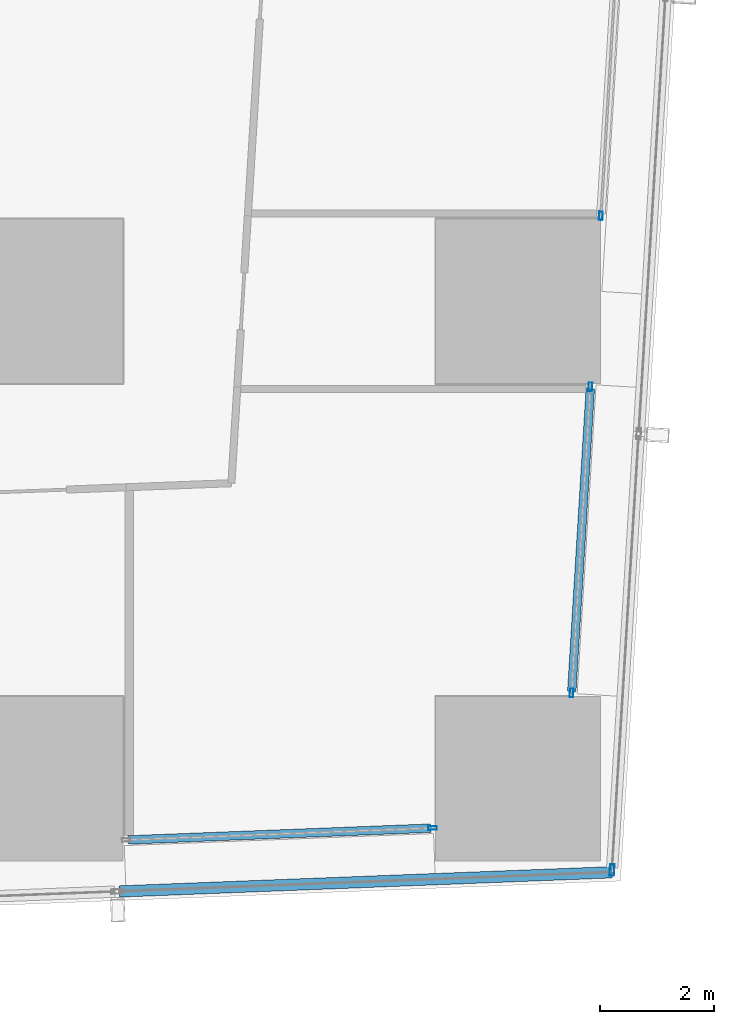
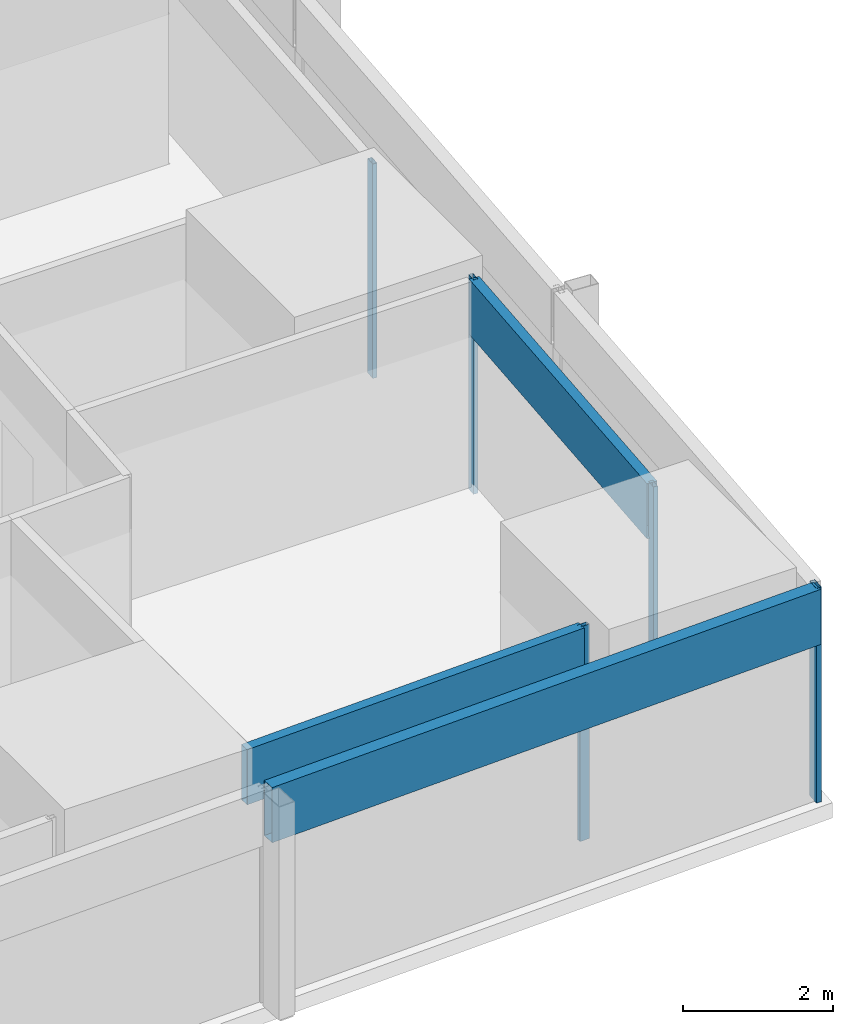
# One storey, part 12 of 40: 8 members, 5 elements without a shape of their own.
"""IFC4 building model written with IfcOpenShell, lengths in metres."""

from ifc_helpers import new_model, si_unit, direction, frame, origin, origin_2d, place, context, subcontext, project, spatial, hollow_rectangle, extrude, material, material_profile, profile_set, type_object, element, aggregate, save


model = new_model("IFC4")

# Units and contexts
model_context = context("Model", 3, precision=1e-05, world=origin(), true_north=direction((0.0, 1.0)))
body_context = subcontext(model_context, "Body", "Model", "MODEL_VIEW")
ifc_project = project(units=[si_unit("LENGTHUNIT", "METRE"), si_unit("AREAUNIT", "SQUARE_METRE"), si_unit("VOLUMEUNIT", "CUBIC_METRE"), si_unit("PLANEANGLEUNIT", "RADIAN"), si_unit("MASSUNIT", "GRAM", prefix="KILO")], contexts=[model_context])

# Site, building, storey
site_placement = place(None, origin())
site = spatial("IfcSite", under=ifc_project, at=site_placement, CompositionType="ELEMENT")
building_placement = place(site_placement, origin())
building = spatial("IfcBuilding", under=site, at=building_placement, Name="Rekha Terrace Tower", CompositionType="ELEMENT")
storey_placement = place(building_placement, frame((0.0, 0.0, 95.300048828125)))
storey = spatial("IfcBuildingStorey", under=building, at=storey_placement, Name="L23", CompositionType="ELEMENT", Elevation=95.300048828125)

# Curtain wall, member
ifc_material_1 = material(Name="Aluminium framing", Category="aluminium")
curtain_wall_type_1 = type_object("IfcCurtainWallType", Name="CW1 double skin inner glazing", PredefinedType="USERDEFINED", material=ifc_material_1)
curtain_wall_1_placement = place(storey_placement, origin())
curtain_wall_1 = element("IfcCurtainWall", 1, at=curtain_wall_1_placement, inside=storey, type_object=curtain_wall_type_1, Name="CW1 double skin inner glazing", ObjectType="DOUBLE SKIN INNER GLAZING", PredefinedType="USERDEFINED")
ifc_material_2 = material(Name="Aluminium mullion section", Category="aluminium")
ifc_material_profile_1 = material_profile(ifc_material_2, hollow_rectangle(XDim=0.06494140625, YDim=0.14990234375, WallThickness=0.00390625, at=origin_2d()), Name="AL RHS 65x150")
ifc_profile_set_1 = profile_set([ifc_material_profile_1], Name="Aluminium mullion section")
member_type_1 = type_object("IfcMemberType", Name="CW1 mullion RHS 65 x 150", PredefinedType="MULLION", material=ifc_profile_set_1)
member_1_placement = place(storey_placement, frame((65.69384765625, 15.93212890625, 0.0), z_axis=(0.0, 0.0, 1.0), x_axis=(-0.038889971433, 0.999243498914, 0.0)))
member_1 = element("IfcMember", 2, at=member_1_placement, type_object=member_type_1, Name="CW1 mullion 2", PredefinedType="MULLION", context=body_context, shape_type="SweptSolid", body=[
    extrude(hollow_rectangle(XDim=0.06494140625, YDim=0.14990234375, WallThickness=0.00390625, at=origin_2d()), origin(), (0.0, 0.0, 1.0), 3.5),
])

# Curtain wall, members
curtain_wall_2_placement = place(storey_placement, origin())
curtain_wall_2 = element("IfcCurtainWall", 3, at=curtain_wall_2_placement, inside=storey, type_object=curtain_wall_type_1, Name="CW1 double skin inner glazing", ObjectType="DOUBLE SKIN INNER GLAZING", PredefinedType="USERDEFINED")
member_2_placement = place(storey_placement, frame((68.140625, 18.30810546875, 0.0), z_axis=(0.0, 0.0, 1.0), x_axis=(-0.998127987033, 0.061159802991, 0.0)))
member_2 = element("IfcMember", 4, at=member_2_placement, type_object=member_type_1, Name="CW1 mullion 1", PredefinedType="MULLION", context=body_context, shape_type="SweptSolid", body=[
    extrude(hollow_rectangle(XDim=0.06494140625, YDim=0.14990234375, WallThickness=0.00390625, at=origin_2d()), origin(), (0.0, 0.0, 1.0), 3.5),
])
member_3_placement = place(storey_placement, frame((68.470703125, 23.69189453125, 0.0), z_axis=(0.0, 0.0, 1.0), x_axis=(-0.998127987033, 0.061159802991, 0.0)))
member_3 = element("IfcMember", 5, at=member_3_placement, type_object=member_type_1, Name="CW1 mullion 2", PredefinedType="MULLION", context=body_context, shape_type="SweptSolid", body=[
    extrude(hollow_rectangle(XDim=0.06494140625, YDim=0.14990234375, WallThickness=0.00390625, at=origin_2d()), origin(), (0.0, 0.0, 1.0), 3.5),
])

# Curtain wall, member
curtain_wall_3_placement = place(storey_placement, origin())
curtain_wall_3 = element("IfcCurtainWall", 6, at=curtain_wall_3_placement, inside=storey, type_object=curtain_wall_type_1, Name="CW1 double skin inner glazing", ObjectType="DOUBLE SKIN INNER GLAZING", PredefinedType="USERDEFINED")
member_4_placement = place(storey_placement, frame((68.655029296875, 26.702392578125, 0.0), z_axis=(0.0, 0.0, 1.0), x_axis=(-0.998127987025, 0.061159803113, 0.0)))
member_4 = element("IfcMember", 7, at=member_4_placement, type_object=member_type_1, Name="CW1 mullion 1", PredefinedType="MULLION", context=body_context, shape_type="SweptSolid", body=[
    extrude(hollow_rectangle(XDim=0.06494140625, YDim=0.14990234375, WallThickness=0.00390625, at=origin_2d()), origin(), (0.0, 0.0, 1.0), 3.5),
])
aggregate(curtain_wall_3, [member_4])

# Member
ifc_material_3 = material(Name="Insulated aluminium spandrel box", Category="aluminium")
ifc_material_profile_2 = material_profile(ifc_material_3, hollow_rectangle(XDim=0.14990234375, YDim=0.89990234375, WallThickness=0.0029296875, at=origin_2d()), Name="AL SPANDREL BOX 150x900")
ifc_profile_set_2 = profile_set([ifc_material_profile_2], Name="Insulated aluminium spandrel box")
member_type_2 = type_object("IfcMemberType", Name="CW1 spandrel transom 150 x 900", PredefinedType="USERDEFINED", material=ifc_profile_set_2)
member_5_placement = place(storey_placement, frame((60.338623046875, 15.7236328125, 3.050048828125), z_axis=(0.999242645651, 0.0389118891, 0.0), x_axis=(-0.0389118891, 0.999242645651, 0.0)))
member_5 = element("IfcMember", 8, at=member_5_placement, type_object=member_type_2, Name="CW1 spandrel transom 1", ObjectType="TRANSOM", PredefinedType="USERDEFINED", context=body_context, shape_type="SweptSolid", body=[
    extrude(hollow_rectangle(XDim=0.14990234375, YDim=0.89990234375, WallThickness=0.0029296875, at=origin_2d()), origin(), (0.0, 0.0, 1.0), 5.326904296875),
])

aggregate(curtain_wall_1, [member_1, member_5])

member_6_placement = place(storey_placement, frame((68.142822265625, 18.340576171875, 3.050048828125), z_axis=(0.061117515381, 0.998130577286, 0.0), x_axis=(-0.998130577286, 0.061117515381, 0.0)))
member_6 = element("IfcMember", 9, at=member_6_placement, type_object=member_type_2, Name="CW1 spandrel transom 1", ObjectType="TRANSOM", PredefinedType="USERDEFINED", context=body_context, shape_type="SweptSolid", body=[
    extrude(hollow_rectangle(XDim=0.14990234375, YDim=0.89990234375, WallThickness=0.0029296875, at=origin_2d()), origin(), (0.0, 0.0, 1.0), 5.328857421875),
])

aggregate(curtain_wall_2, [member_2, member_3, member_6])

# Curtain wall, member
curtain_wall_type_2 = type_object("IfcCurtainWallType", Name="CW2 double skin outer glazing", PredefinedType="USERDEFINED", material=ifc_material_1)
curtain_wall_4_placement = place(storey_placement, origin())
curtain_wall_4 = element("IfcCurtainWall", 10, at=curtain_wall_4_placement, inside=storey, type_object=curtain_wall_type_2, Name="CW2 double skin outer glazing", ObjectType="DOUBLE SKIN OUTER GLAZING", PredefinedType="USERDEFINED")
ifc_material_profile_3 = material_profile(ifc_material_2, hollow_rectangle(XDim=0.080078125, YDim=0.199951171875, WallThickness=0.00390625, at=origin_2d()), Name="AL RHS 80x200")
ifc_profile_set_3 = profile_set([ifc_material_profile_3], Name="Aluminium mullion section")
member_type_3 = type_object("IfcMemberType", Name="CW2 mullion RHS 80 x 200", PredefinedType="MULLION", material=ifc_profile_set_3)
member_7_placement = place(storey_placement, frame((68.8515625, 15.194091796875, 0.0), z_axis=(0.0, 0.0, 1.0), x_axis=(-0.998127987024, 0.061159803131, 0.0)))
member_7 = element("IfcMember", 11, at=member_7_placement, type_object=member_type_3, Name="CW2 mullion 1", PredefinedType="MULLION", context=body_context, shape_type="SweptSolid", body=[
    extrude(hollow_rectangle(XDim=0.080078125, YDim=0.199951171875, WallThickness=0.00390625, at=origin_2d()), origin(), (0.0, 0.0, 1.0), 3.5),
])
aggregate(curtain_wall_4, [member_7])

curtain_wall_5_placement = place(storey_placement, origin())
curtain_wall_5 = element("IfcCurtainWall", 12, at=curtain_wall_5_placement, inside=storey, type_object=curtain_wall_type_2, Name="CW2 double skin outer glazing", ObjectType="DOUBLE SKIN OUTER GLAZING", PredefinedType="USERDEFINED")
ifc_material_profile_4 = material_profile(ifc_material_3, hollow_rectangle(XDim=0.199951171875, YDim=0.89990234375, WallThickness=0.0029296875, at=origin_2d()), Name="AL SPANDREL BOX 200x900")
ifc_profile_set_4 = profile_set([ifc_material_profile_4], Name="Insulated aluminium spandrel box")
member_type_4 = type_object("IfcMemberType", Name="CW2 spandrel transom 200 x 900", PredefinedType="USERDEFINED", material=ifc_profile_set_4)
member_8_placement = place(storey_placement, frame((60.18408203125, 14.81689453125, 3.050048828125), z_axis=(0.99924276334, 0.038908866757, 0.0), x_axis=(-0.038908866757, 0.99924276334, 0.0)))
member_8 = element("IfcMember", 13, at=member_8_placement, type_object=member_type_4, Name="CW2 spandrel transom 5", ObjectType="TRANSOM", PredefinedType="USERDEFINED", context=body_context, shape_type="SweptSolid", body=[
    extrude(hollow_rectangle(XDim=0.199951171875, YDim=0.89990234375, WallThickness=0.0029296875, at=origin_2d()), origin(), (0.0, 0.0, 1.0), 8.671630859375),
])
aggregate(curtain_wall_5, [member_8])

save(model, "model.ifc")
